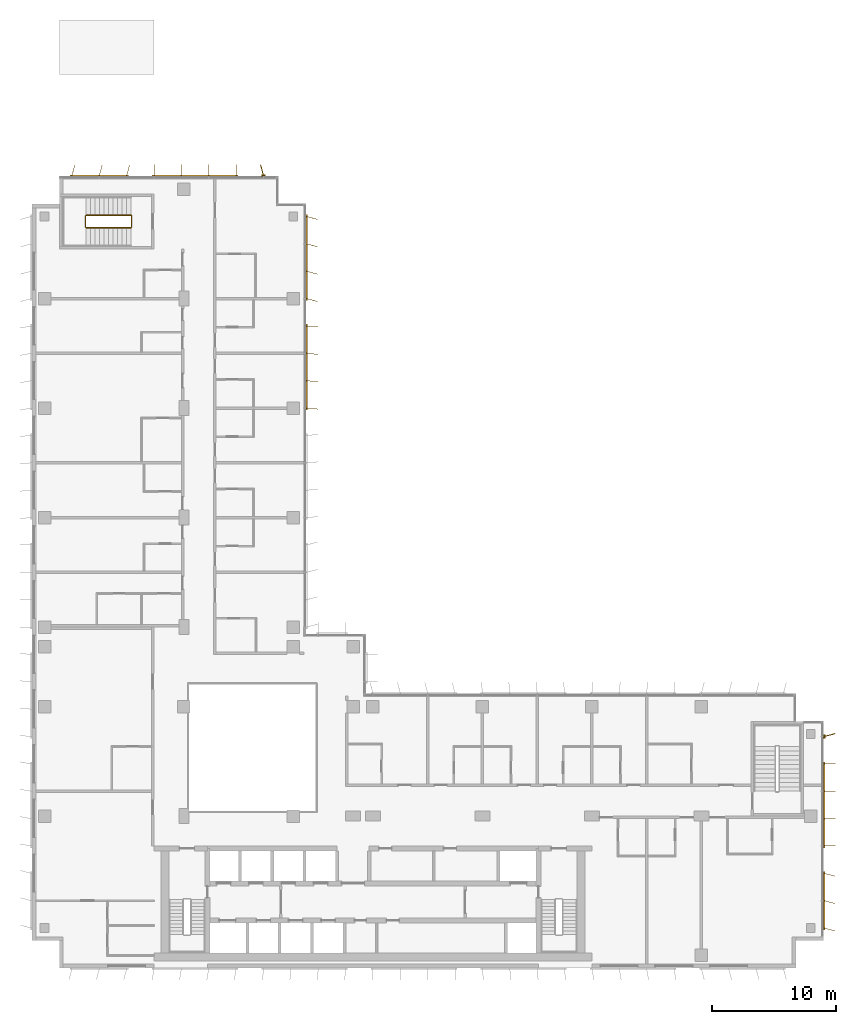
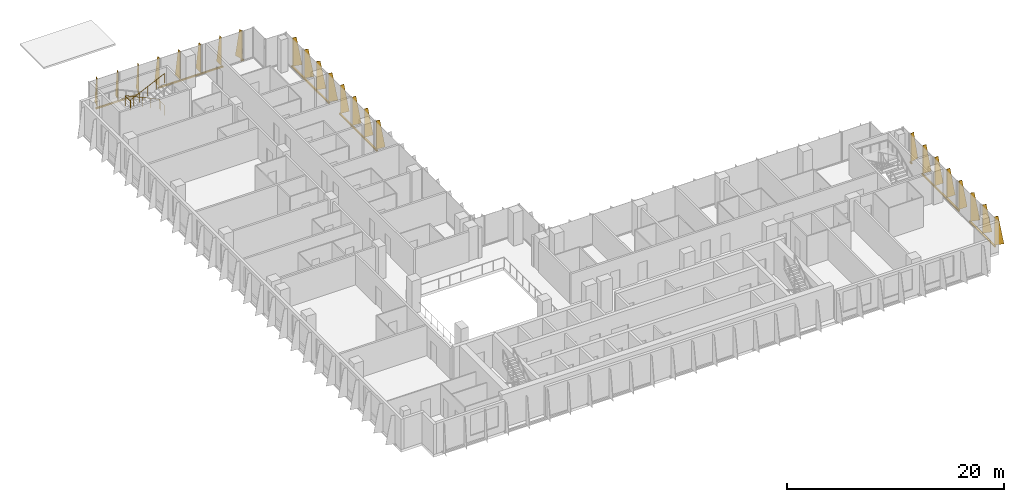
# One storey, part 21 of 21: 8 shading devices, 1 railing.
"""IFC4 building model written with IfcOpenShell, lengths in metres."""

from ifc_helpers import new_model, si_unit, direction, frame, origin, origin_2d, place, context, subcontext, project, spatial, polyline, rectangle, circle, outline, extrude, source, transform, mapped, material, layer, layer_set, type_object, element, save


model = new_model("IFC4")

# Units and contexts
model_context = context("Model", 3, precision=1e-05, world=origin(), true_north=direction((0.0, 1.0)))
body_context = subcontext(model_context, "Body", "Model", "MODEL_VIEW")
ifc_project = project(units=[si_unit("LENGTHUNIT", "METRE"), si_unit("AREAUNIT", "SQUARE_METRE"), si_unit("VOLUMEUNIT", "CUBIC_METRE"), si_unit("PLANEANGLEUNIT", "RADIAN"), si_unit("MASSUNIT", "GRAM", prefix="KILO")], contexts=[model_context])

# Site, building, storey
site_placement = place(None, origin())
site = spatial("IfcSite", under=ifc_project, at=site_placement, CompositionType="ELEMENT")
building_placement = place(site_placement, origin())
building = spatial("IfcBuilding", under=site, at=building_placement, Name="Kemantara Hotel Tower", CompositionType="ELEMENT")
storey_placement = place(building_placement, frame((0.0, 0.0, 156.800048828125)))
storey = spatial("IfcBuildingStorey", under=building, at=storey_placement, Name="L38", CompositionType="ELEMENT", Elevation=156.800048828125)

# Railing
ifc_material_1 = material(Name="Stainless steel balustrade", Category="steel")
railing_type = type_object("IfcRailingType", Name="Stair guard 1100 mm", PredefinedType="GUARDRAIL", material=ifc_material_1)
railing_placement = place(storey_placement, frame((7.949951171875, 59.5, 3.699951171875)))
element("IfcRailing", 1, at=railing_placement, inside=storey, type_object=railing_type, Name="L38 ST4 stair guard 1", PredefinedType="GUARDRAIL", context=body_context, shape_type="SweptSolid", body=[
    extrude(circle(Radius=0.02392578125, at=origin_2d()), frame((0.0, 0.0, 1.076171875), z_axis=(-0.905994681025, 0.0, -0.423289071386), x_axis=(0.0, -1.0, 0.0)), (0.0, 0.0, 1.0), 3.973388671875),
    extrude(circle(Radius=0.02392578125, at=origin_2d()), frame((-3.599853515625, 0.0, -0.60595703125), z_axis=(-0.274243871929, 0.274243871929, -0.92172696468), x_axis=(-0.707106781187, -0.707106781187, 0.0)), (0.0, 0.0, 1.0), 0.1826171875),
    extrude(circle(Radius=0.02392578125, at=origin_2d()), frame((-3.64990234375, 0.050048828125, -0.77392578125), z_axis=(0.0, 1.0, 0.0), x_axis=(-1.0, 0.0, 0.0)), (0.0, 0.0, 1.0), 0.89990234375),
    extrude(circle(Radius=0.02392578125, at=origin_2d()), frame((-3.64990234375, 0.949951171875, -0.77392578125), z_axis=(0.707106781187, 0.707106781187, 0.0), x_axis=(-0.707106781187, 0.707106781187, 0.0)), (0.0, 0.0, 1.0), 0.07080078125),
    extrude(circle(Radius=0.02392578125, at=origin_2d()), frame((-3.599853515625, 1.0, -0.77392578125), z_axis=(0.906018243939, 0.0, -0.423238634402), x_axis=(0.0, 1.0, 0.0)), (0.0, 0.0, 1.0), 3.973388671875),
    extrude(circle(Radius=0.02392578125, at=origin_2d()), frame((0.0, 1.0, -2.45556640625), z_axis=(0.274243871929, -0.274243871929, -0.92172696468), x_axis=(0.707106781187, 0.707106781187, 0.0)), (0.0, 0.0, 1.0), 0.1826171875),
    extrude(circle(Radius=0.02392578125, at=origin_2d()), frame((0.050048828125, 0.949951171875, -2.6240234375), z_axis=(0.0, -1.0, 0.0), x_axis=(1.0, 0.0, 0.0)), (0.0, 0.0, 1.0), 0.89990234375),
    extrude(circle(Radius=0.02099609375, at=origin_2d()), origin(), (0.0, 0.0, 1.0), 1.052001953125),
    extrude(circle(Radius=0.02099609375, at=origin_2d()), frame((-0.89990234375, 0.0, -0.42041015625)), (0.0, 0.0, 1.0), 1.052001953125),
    extrude(circle(Radius=0.02099609375, at=origin_2d()), frame((-1.7998046875, 0.0, -0.8408203125)), (0.0, 0.0, 1.0), 1.052001953125),
    extrude(circle(Radius=0.02099609375, at=origin_2d()), frame((-2.699951171875, 0.0, -1.261474609375)), (0.0, 0.0, 1.0), 1.052001953125),
    extrude(circle(Radius=0.02099609375, at=origin_2d()), frame((-3.599853515625, 0.0, -1.681884765625)), (0.0, 0.0, 1.0), 1.052001953125),
    extrude(circle(Radius=0.02099609375, at=origin_2d()), frame((-3.64990234375, 0.050048828125, -1.85009765625)), (0.0, 0.0, 1.0), 1.052001953125),
    extrude(circle(Radius=0.02099609375, at=origin_2d()), frame((-3.64990234375, 0.949951171875, -1.85009765625)), (0.0, 0.0, 1.0), 1.052001953125),
    extrude(circle(Radius=0.02099609375, at=origin_2d()), frame((-3.599853515625, 1.0, -1.85009765625)), (0.0, 0.0, 1.0), 1.052001953125),
    extrude(circle(Radius=0.02099609375, at=origin_2d()), frame((-2.699951171875, 1.0, -2.2705078125)), (0.0, 0.0, 1.0), 1.052001953125),
    extrude(circle(Radius=0.02099609375, at=origin_2d()), frame((-1.7998046875, 1.0, -2.69091796875)), (0.0, 0.0, 1.0), 1.052001953125),
    extrude(circle(Radius=0.02099609375, at=origin_2d()), frame((-0.89990234375, 1.0, -3.111328125)), (0.0, 0.0, 1.0), 1.052001953125),
    extrude(circle(Radius=0.02099609375, at=origin_2d()), frame((0.0, 1.0, -3.53173828125)), (0.0, 0.0, 1.0), 1.052001953125),
    extrude(circle(Radius=0.02099609375, at=origin_2d()), frame((0.050048828125, 0.949951171875, -3.699951171875)), (0.0, 0.0, 1.0), 1.052001953125),
    extrude(circle(Radius=0.02099609375, at=origin_2d()), frame((0.050048828125, 0.050048828125, -3.699951171875)), (0.0, 0.0, 1.0), 1.052001953125),
])

# Shading devices
ifc_material_2 = material(Name="Perforated aluminium plate 4 mm bronze anodised", Category="aluminium")
ifc_layer_1 = layer(ifc_material_2, 0.0400390625)
ifc_layer_set_1 = layer_set([ifc_layer_1], Name="Perforated aluminium plate 4 mm bronze anodised")
shading_device_type_1 = type_object("IfcShadingDeviceType", Name="SCREEN FIN CASSETTE, 3 BLADES AT -15.0 DEG, 3200 HIGH", PredefinedType="USERDEFINED", material=ifc_layer_set_1)
shared_shape_1 = source(origin(), body_context, "Body", "SweptSolid", [
    extrude(rectangle(XDim=4.699951171875, YDim=0.14990234375, at=origin_2d()), frame((2.199951171875, -0.074951171875, -0.14990234375), z_axis=(0.0, 0.0, 1.0), x_axis=(1.0, 0.0, 0.0)), (0.0, 0.0, 1.0), 0.14990234375),
    extrude(outline(polyline([(0.0, 0.0), (0.89990234375, 0.0), (0.35009765625, 3.199951171875), (0.0, 3.199951171875), (0.0, 0.0)])), frame((0.019287109375, -0.080078125, 0.0), z_axis=(-0.966437683387, 0.256901156343, 0.0), x_axis=(-0.256901156343, -0.966437683387, 0.0)), (0.0, 0.0, 1.0), 0.039794921875),
    extrude(outline(polyline([(0.0, 0.0), (0.89990234375, 0.0), (0.35009765625, 3.199951171875), (0.0, 3.199951171875), (0.0, 0.0)])), frame((2.21923828125, -0.080078125, 0.0), z_axis=(-0.966437683387, 0.256901156343, 0.0), x_axis=(-0.256901156343, -0.966437683387, 0.0)), (0.0, 0.0, 1.0), 0.039794921875),
    extrude(outline(polyline([(0.0, 0.0), (0.89990234375, 0.0), (0.35009765625, 3.199951171875), (0.0, 3.199951171875), (0.0, 0.0)])), frame((4.41943359375, -0.080078125, 0.0), z_axis=(-0.966837822169, 0.255391122837, 0.0), x_axis=(-0.255391122837, -0.966837822169, 0.0)), (0.0, 0.0, 1.0), 0.0400390625),
])
for number, where, z_axis, x_axis, name in (
    (2, (7.60009765625, 63.60009765625, 0.099853515625), (0.0, 0.0, 1.0), (-1.0, 0.0, 0.0), "SCREEN FIN CASSETTE L38 T3-R02-3"),
    (3, (63.60009765625, 3.199951171875, 0.099853515625), (0.0, 0.0, 1.0), (0.0, 1.0, 0.0), "SCREEN FIN CASSETTE L38 T3-R11-1"),
):
    element("IfcShadingDevice", number, at=place(storey_placement, frame(where, z_axis=z_axis, x_axis=x_axis)), inside=storey, type_object=shading_device_type_1, Name=name, ObjectType="SCREEN FIN", PredefinedType="USERDEFINED", context=body_context, shape_type="MappedRepresentation", body=[
        mapped(shared_shape_1, transform((0.0, 0.0, 0.0))),
    ])
ifc_layer_2 = layer(ifc_material_2, 0.0400390625)
ifc_layer_set_2 = layer_set([ifc_layer_2], Name="Perforated aluminium plate 4 mm bronze anodised")
shading_device_type_2 = type_object("IfcShadingDeviceType", Name="SCREEN FIN CASSETTE, 4 BLADES AT -5.0 DEG, 3200 HIGH", PredefinedType="USERDEFINED", material=ifc_layer_set_2)
shared_shape_2 = source(origin(), body_context, "Body", "SweptSolid", [
    extrude(rectangle(XDim=6.89990234375, YDim=0.14990234375, at=origin_2d()), frame((3.300048828125, -0.074951171875, -0.14990234375), z_axis=(0.0, 0.0, 1.0), x_axis=(1.0, 0.0, 0.0)), (0.0, 0.0, 1.0), 0.14990234375),
    extrude(outline(polyline([(0.0, 0.0), (0.89990234375, 0.0), (0.35009765625, 3.199951171875), (0.0, 3.199951171875), (0.0, 0.0)])), frame((0.02001953125, -0.07666015625, 0.0), z_axis=(-0.996376129781, 0.085056498884, 0.0), x_axis=(-0.085056498884, -0.996376129781, 0.0)), (0.0, 0.0, 1.0), 0.040283203125),
    extrude(outline(polyline([(0.0, 0.0), (0.89990234375, 0.0), (0.35009765625, 3.199951171875), (0.0, 3.199951171875), (0.0, 0.0)])), frame((2.219970703125, -0.07666015625, 0.0), z_axis=(-0.996331773833, 0.085574508182, 0.0), x_axis=(-0.085574508182, -0.996331773833, 0.0)), (0.0, 0.0, 1.0), 0.0400390625),
    extrude(outline(polyline([(0.0, 0.0), (0.89990234375, 0.0), (0.35009765625, 3.199951171875), (0.0, 3.199951171875), (0.0, 0.0)])), frame((4.419921875, -0.07666015625, 0.0), z_axis=(-0.996331773833, 0.085574508182, 0.0), x_axis=(-0.085574508182, -0.996331773833, 0.0)), (0.0, 0.0, 1.0), 0.0400390625),
    extrude(outline(polyline([(0.0, 0.0), (0.89990234375, 0.0), (0.35009765625, 3.199951171875), (0.0, 3.199951171875), (0.0, 0.0)])), frame((6.619873046875, -0.07666015625, 0.0), z_axis=(-0.996331773833, 0.085574508182, 0.0), x_axis=(-0.085574508182, -0.996331773833, 0.0)), (0.0, 0.0, 1.0), 0.0400390625),
])
shading_device_1_placement = place(storey_placement, frame((22.0, 45.0, 0.099853515625), z_axis=(0.0, 0.0, 1.0), x_axis=(0.0, 1.0, 0.0)))
element("IfcShadingDevice", 4, at=shading_device_1_placement, inside=storey, type_object=shading_device_type_2, Name="SCREEN FIN CASSETTE L38 T3-R17-3", ObjectType="SCREEN FIN", PredefinedType="USERDEFINED", context=body_context, shape_type="MappedRepresentation", body=[
    mapped(shared_shape_2, transform((0.0, 0.0, 0.0))),
])
ifc_layer_3 = layer(ifc_material_2, 0.0400390625)
ifc_layer_set_3 = layer_set([ifc_layer_3], Name="Perforated aluminium plate 4 mm bronze anodised")
shading_device_type_3 = type_object("IfcShadingDeviceType", Name="SCREEN FIN CASSETTE, 4 BLADES AT +0.0 DEG, 3200 HIGH", PredefinedType="USERDEFINED", material=ifc_layer_set_3)
shared_shape_3 = source(origin(), body_context, "Body", "SweptSolid", [
    extrude(rectangle(XDim=6.89990234375, YDim=0.14990234375, at=origin_2d()), frame((3.300048828125, -0.074951171875, -0.14990234375), z_axis=(0.0, 0.0, 1.0), x_axis=(1.0, 0.0, 0.0)), (0.0, 0.0, 1.0), 0.14990234375),
    extrude(outline(polyline([(0.0, 0.0), (0.89990234375, 0.0), (0.35009765625, 3.199951171875), (0.0, 3.199951171875), (0.0, 0.0)])), frame((0.02001953125, -0.074951171875, 0.0), z_axis=(-1.0, 0.0, 0.0), x_axis=(0.0, -1.0, 0.0)), (0.0, 0.0, 1.0), 0.0400390625),
    extrude(outline(polyline([(0.0, 0.0), (0.89990234375, 0.0), (0.35009765625, 3.199951171875), (0.0, 3.199951171875), (0.0, 0.0)])), frame((2.219970703125, -0.074951171875, 0.0), z_axis=(-1.0, 0.0, 0.0), x_axis=(0.0, -1.0, 0.0)), (0.0, 0.0, 1.0), 0.0400390625),
    extrude(outline(polyline([(0.0, 0.0), (0.89990234375, 0.0), (0.35009765625, 3.199951171875), (0.0, 3.199951171875), (0.0, 0.0)])), frame((4.419921875, -0.074951171875, 0.0), z_axis=(-1.0, 0.0, 0.0), x_axis=(0.0, -1.0, 0.0)), (0.0, 0.0, 1.0), 0.0400390625),
    extrude(outline(polyline([(0.0, 0.0), (0.89990234375, 0.0), (0.35009765625, 3.199951171875), (0.0, 3.199951171875), (0.0, 0.0)])), frame((6.6201171875, -0.074951171875, 0.0), z_axis=(-1.0, 0.0, 0.0), x_axis=(0.0, -1.0, 0.0)), (0.0, 0.0, 1.0), 0.0400390625),
])
for number, where, z_axis, x_axis, name in (
    (5, (16.39990234375, 63.60009765625, 0.099853515625), (0.0, 0.0, 1.0), (-1.0, 0.0, 0.0), "SCREEN FIN CASSETTE L38 T3-R02-2"),
    (6, (63.60009765625, 9.800048828125, 0.099853515625), (0.0, 0.0, 1.0), (0.0, 1.0, 0.0), "SCREEN FIN CASSETTE L38 T3-R11-2"),
):
    element("IfcShadingDevice", number, at=place(storey_placement, frame(where, z_axis=z_axis, x_axis=x_axis)), inside=storey, type_object=shading_device_type_3, Name=name, ObjectType="SCREEN FIN", PredefinedType="USERDEFINED", context=body_context, shape_type="MappedRepresentation", body=[
        mapped(shared_shape_3, transform((0.0, 0.0, 0.0))),
    ])
ifc_layer_4 = layer(ifc_material_2, 0.0400390625)
ifc_layer_set_4 = layer_set([ifc_layer_4], Name="Perforated aluminium plate 4 mm bronze anodised")
shading_device_type_4 = type_object("IfcShadingDeviceType", Name="SCREEN FIN CASSETTE, 4 BLADES AT -15.0 DEG, 3200 HIGH", PredefinedType="USERDEFINED", material=ifc_layer_set_4)
shared_shape_4 = source(origin(), body_context, "Body", "SweptSolid", [
    extrude(rectangle(XDim=6.89990234375, YDim=0.14990234375, at=origin_2d()), frame((3.300048828125, -0.074951171875, -0.14990234375), z_axis=(0.0, 0.0, 1.0), x_axis=(1.0, 0.0, 0.0)), (0.0, 0.0, 1.0), 0.14990234375),
    extrude(outline(polyline([(0.0, 0.0), (0.89990234375, 0.0), (0.35009765625, 3.199951171875), (0.0, 3.199951171875), (0.0, 0.0)])), frame((0.019287109375, -0.080078125, 0.0), z_axis=(-0.966437683387, 0.256901156343, 0.0), x_axis=(-0.256901156343, -0.966437683387, 0.0)), (0.0, 0.0, 1.0), 0.039794921875),
    extrude(outline(polyline([(0.0, 0.0), (0.89990234375, 0.0), (0.35009765625, 3.199951171875), (0.0, 3.199951171875), (0.0, 0.0)])), frame((2.21923828125, -0.080078125, 0.0), z_axis=(-0.966437683387, 0.256901156343, 0.0), x_axis=(-0.256901156343, -0.966437683387, 0.0)), (0.0, 0.0, 1.0), 0.039794921875),
    extrude(outline(polyline([(0.0, 0.0), (0.89990234375, 0.0), (0.35009765625, 3.199951171875), (0.0, 3.199951171875), (0.0, 0.0)])), frame((4.41943359375, -0.080078125, 0.0), z_axis=(-0.966837822169, 0.255391122837, 0.0), x_axis=(-0.255391122837, -0.966837822169, 0.0)), (0.0, 0.0, 1.0), 0.0400390625),
    extrude(outline(polyline([(0.0, 0.0), (0.89990234375, 0.0), (0.35009765625, 3.199951171875), (0.0, 3.199951171875), (0.0, 0.0)])), frame((6.619384765625, -0.080078125, 0.0), z_axis=(-0.966837822169, 0.255391122837, 0.0), x_axis=(-0.255391122837, -0.966837822169, 0.0)), (0.0, 0.0, 1.0), 0.0400390625),
])
shading_device_2_placement = place(storey_placement, frame((22.0, 53.800048828125, 0.099853515625), z_axis=(0.0, 0.0, 1.0), x_axis=(0.0, 1.0, 0.0)))
element("IfcShadingDevice", 7, at=shading_device_2_placement, inside=storey, type_object=shading_device_type_4, Name="SCREEN FIN CASSETTE L38 T3-R17-4", ObjectType="SCREEN FIN", PredefinedType="USERDEFINED", context=body_context, shape_type="MappedRepresentation", body=[
    mapped(shared_shape_4, transform((0.0, 0.0, 0.0))),
])
ifc_layer_5 = layer(ifc_material_2, 0.0400390625)
ifc_layer_set_5 = layer_set([ifc_layer_5], Name="Perforated aluminium plate 4 mm bronze anodised")
shading_device_type_5 = type_object("IfcShadingDeviceType", Name="SCREEN FIN CASSETTE, 1 BLADE AT +15.0 DEG, 3200 HIGH", PredefinedType="USERDEFINED", material=ifc_layer_set_5)
shared_shape_5 = source(origin(), body_context, "Body", "SweptSolid", [
    extrude(rectangle(XDim=0.300048828125, YDim=0.14990234375, at=origin_2d()), frame((0.0, -0.074951171875, -0.14990234375), z_axis=(0.0, 0.0, 1.0), x_axis=(1.0, 0.0, 0.0)), (0.0, 0.0, 1.0), 0.14990234375),
    extrude(outline(polyline([(0.0, 0.0), (0.89990234375, 0.0), (0.35009765625, 3.199951171875), (0.0, 3.199951171875), (0.0, 0.0)])), frame((0.019287109375, -0.06982421875, 0.0), z_axis=(-0.966437683387, -0.256901156343, 0.0), x_axis=(0.256901156343, -0.966437683387, 0.0)), (0.0, 0.0, 1.0), 0.039794921875),
])
for number, where, z_axis, x_axis, name in (
    (8, (18.60009765625, 63.60009765625, 0.099853515625), (0.0, 0.0, 1.0), (-1.0, 0.0, 0.0), "SCREEN FIN CASSETTE L38 T3-R02-1"),
    (9, (63.60009765625, 18.60009765625, 0.099853515625), (0.0, 0.0, 1.0), (0.0, 1.0, 0.0), "SCREEN FIN CASSETTE L38 T3-R11-3"),
):
    element("IfcShadingDevice", number, at=place(storey_placement, frame(where, z_axis=z_axis, x_axis=x_axis)), inside=storey, type_object=shading_device_type_5, Name=name, ObjectType="SCREEN FIN", PredefinedType="USERDEFINED", context=body_context, shape_type="MappedRepresentation", body=[
        mapped(shared_shape_5, transform((0.0, 0.0, 0.0))),
    ])

save(model, "model.ifc")
